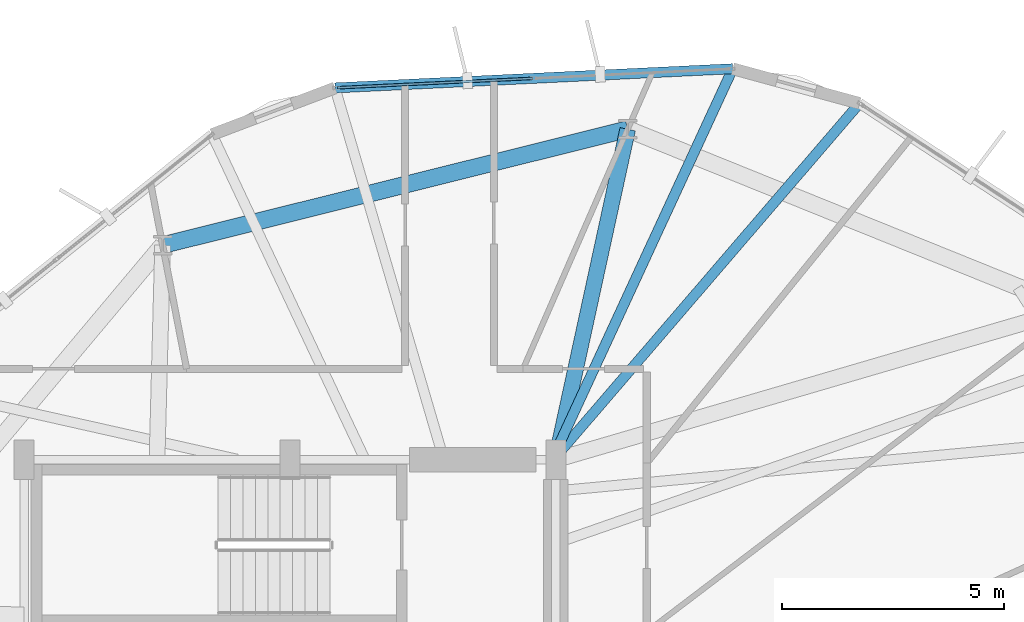
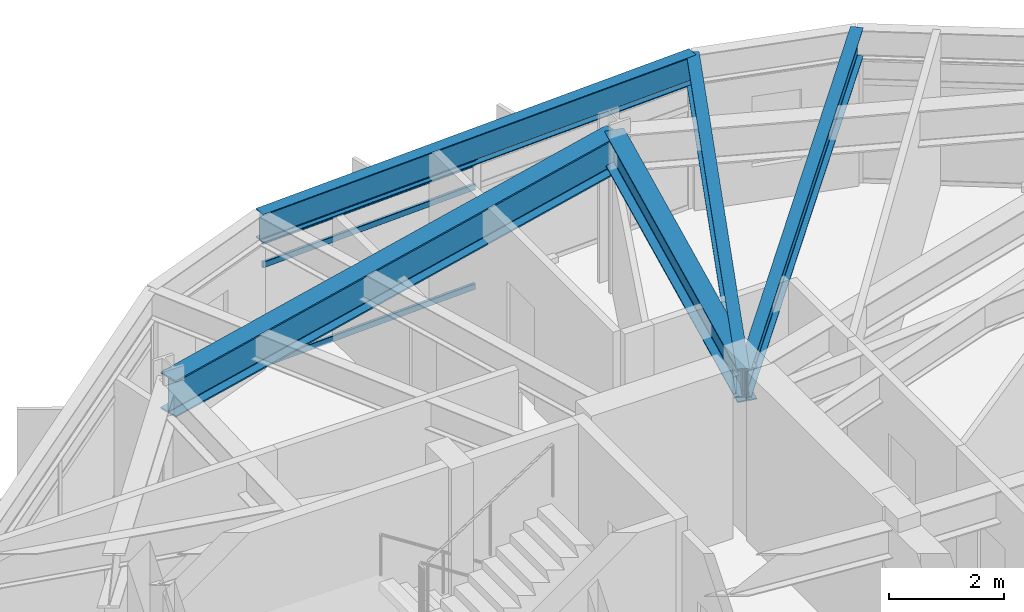
# One storey, part 14 of 23: 5 beams, 3 members, 1 element without a shape of its own.
"""IFC4 building model written with IfcOpenShell, lengths in metres."""

from ifc_helpers import new_model, si_unit, direction, frame, origin, origin_2d, place, context, subcontext, project, spatial, hollow_rectangle, i_section, extrude, material, layer, layer_set, material_profile, profile_set, type_object, element, aggregate, save


model = new_model("IFC4")

# Units and contexts
model_context = context("Model", 3, precision=1e-05, world=origin(), true_north=direction((0.0, 1.0)))
body_context = subcontext(model_context, "Body", "Model", "MODEL_VIEW")
ifc_project = project(units=[si_unit("LENGTHUNIT", "METRE"), si_unit("AREAUNIT", "SQUARE_METRE"), si_unit("VOLUMEUNIT", "CUBIC_METRE"), si_unit("PLANEANGLEUNIT", "RADIAN"), si_unit("MASSUNIT", "GRAM", prefix="KILO")], contexts=[model_context])

# Site, building, storey
site_placement = place(None, origin())
site = spatial("IfcSite", under=ifc_project, at=site_placement, CompositionType="ELEMENT")
building_placement = place(site_placement, origin())
building = spatial("IfcBuilding", under=site, at=building_placement, Name="Soratama Intermodal Tower", CompositionType="ELEMENT")
storey_placement = place(building_placement, frame((0.0, 0.0, 175.0)))
storey = spatial("IfcBuildingStorey", under=building, at=storey_placement, Name="L43", CompositionType="ELEMENT", Elevation=175.0)

# Beams
ifc_material_1 = material(Name="Structural steel ASTM A992 Grade 50", Category="steel")
ifc_material_profile_1 = material_profile(ifc_material_1, i_section(OverallWidth=0.35498046875, OverallDepth=0.695068359375, WebThickness=0.015380859375, FlangeThickness=0.02490234375, FilletRadius=0.01611328125, at=origin_2d()), Name="W27X146")
ifc_profile_set_1 = profile_set([ifc_material_profile_1], Name="Structural steel ASTM A992 Grade 50")
beam_type_1 = type_object("IfcBeamType", Name="BM-RING-W27X146", PredefinedType="BEAM", material=ifc_profile_set_1)
beam_1_placement = place(storey_placement, frame((44.60009765625, 35.0, 2.952392578125), z_axis=(0.212399095304, 0.977183004515, 0.0), x_axis=(-0.977183004515, 0.212399095304, 0.0)))
element("IfcBeam", 1, at=beam_1_placement, inside=storey, type_object=beam_type_1, Name="BM-L43-RAD-03", PredefinedType="BEAM", context=body_context, shape_type="SweptSolid", body=[
    extrude(i_section(OverallWidth=0.35498046875, OverallDepth=0.695068359375, WebThickness=0.015380859375, FlangeThickness=0.02490234375, FilletRadius=0.01611328125, at=origin_2d()), origin(), (0.0, 0.0, 1.0), 7.631103515625),
])
ifc_material_2 = material(Name="Structural steel ASTM A992 Grade 50", Category="steel")
ifc_material_profile_2 = material_profile(ifc_material_2, i_section(OverallWidth=0.382080078125, OverallDepth=0.779052734375, WebThickness=0.01806640625, FlangeThickness=0.030029296875, FilletRadius=0.01806640625, at=origin_2d()), Name="W30X191")
ifc_profile_set_2 = profile_set([ifc_material_profile_2], Name="Structural steel ASTM A992 Grade 50")
beam_type_2 = type_object("IfcBeamType", Name="BM-RING-W30X191", PredefinedType="BEAM", material=ifc_profile_set_2)
beam_2_placement = place(storey_placement, frame((46.220947265625, 42.45703125, 2.910400390625), z_axis=(-0.970310893227, -0.241861056155, 0.0), x_axis=(0.241861056155, -0.970310893227, 0.0)))
element("IfcBeam", 2, at=beam_2_placement, inside=storey, type_object=beam_type_2, Name="BM-L43-RING-03", PredefinedType="BEAM", context=body_context, shape_type="SweptSolid", body=[
    extrude(i_section(OverallWidth=0.382080078125, OverallDepth=0.779052734375, WebThickness=0.01806640625, FlangeThickness=0.030029296875, FilletRadius=0.01806640625, at=origin_2d()), origin(), (0.0, 0.0, 1.0), 10.81591796875),
])
ifc_material_3 = material(Name="Structural steel ASTM A992 Grade 50", Category="steel")
ifc_material_profile_3 = material_profile(ifc_material_3, i_section(OverallWidth=0.22900390625, OverallDepth=0.612060546875, WebThickness=0.011962890625, FlangeThickness=0.01953125, FilletRadius=0.012939453125, at=origin_2d()), Name="W24X84")
ifc_profile_set_3 = profile_set([ifc_material_profile_3], Name="Structural steel ASTM A992 Grade 50")
beam_type_3 = type_object("IfcBeamType", Name="BM-SPN-W24X84", PredefinedType="SPANDREL", material=ifc_profile_set_3)
beam_3_placement = place(storey_placement, frame((48.591064453125, 43.822021484375, 2.993896484375), z_axis=(-0.998843169701, -0.048086612913, 0.0), x_axis=(0.048086612913, -0.998843169701, 0.0)))
element("IfcBeam", 3, at=beam_3_placement, inside=storey, type_object=beam_type_3, Name="BS-L43-F02", PredefinedType="SPANDREL", context=body_context, shape_type="SweptSolid", body=[
    extrude(i_section(OverallWidth=0.22900390625, OverallDepth=0.612060546875, WebThickness=0.011962890625, FlangeThickness=0.01953125, FilletRadius=0.012939453125, at=origin_2d()), origin(), (0.0, 0.0, 1.0), 8.986572265625),
])
ifc_material_4 = material(Name="Structural steel ASTM A992 Grade 50", Category="steel")
ifc_material_profile_4 = material_profile(ifc_material_4, i_section(OverallWidth=0.22900390625, OverallDepth=0.612060546875, WebThickness=0.011962890625, FlangeThickness=0.01953125, FilletRadius=0.012939453125, at=origin_2d()), Name="W24X84")
ifc_profile_set_4 = profile_set([ifc_material_profile_4], Name="Structural steel ASTM A992 Grade 50")
beam_type_4 = type_object("IfcBeamType", Name="BM-TIE-W24X84", PredefinedType="BEAM", material=ifc_profile_set_4)
beam_4_placement = place(storey_placement, frame((44.56591796875, 35.030029296875, 2.993896484375), z_axis=(0.651812637197, 0.758380040606, 0.0), x_axis=(-0.758380040606, 0.651812637197, 0.0)))
element("IfcBeam", 4, at=beam_4_placement, inside=storey, type_object=beam_type_4, Name="BM-L43-TIE1-01", PredefinedType="BEAM", context=body_context, shape_type="SweptSolid", body=[
    extrude(i_section(OverallWidth=0.22900390625, OverallDepth=0.612060546875, WebThickness=0.011962890625, FlangeThickness=0.01953125, FilletRadius=0.012939453125, at=origin_2d()), origin(), (0.0, 0.0, 1.0), 10.56591796875),
])
beam_5_placement = place(storey_placement, frame((44.531005859375, 35.035888671875, 2.993896484375), z_axis=(0.419477222454, 0.907765861796, 0.0), x_axis=(-0.907765861796, 0.419477222454, 0.0)))
element("IfcBeam", 5, at=beam_5_placement, inside=storey, type_object=beam_type_4, Name="BM-L43-TIE0-02", PredefinedType="BEAM", context=body_context, shape_type="SweptSolid", body=[
    extrude(i_section(OverallWidth=0.22900390625, OverallDepth=0.612060546875, WebThickness=0.011962890625, FlangeThickness=0.01953125, FilletRadius=0.012939453125, at=origin_2d()), origin(), (0.0, 0.0, 1.0), 9.678955078125),
])

# Curtain wall, members
ifc_material_5 = material(Name="Double-glazed aluminium curtain wall", Category="aluminium")
ifc_layer = layer(ifc_material_5, 0.159912109375)
ifc_layer_set = layer_set([ifc_layer], Name="Double-glazed aluminium curtain wall")
curtain_wall_type = type_object("IfcCurtainWallType", Name="CW-SYS-4", PredefinedType="NOTDEFINED", material=ifc_layer_set)
curtain_wall_placement = place(storey_placement, origin())
curtain_wall = element("IfcCurtainWall", 6, at=curtain_wall_placement, inside=storey, type_object=curtain_wall_type, Name="L43 Faceted Curtain Wall F02", PredefinedType="NOTDEFINED")
ifc_material_6 = material(Name="Anodised aluminium AA 6063-T6", Category="aluminium")
ifc_material_profile_5 = material_profile(ifc_material_6, hollow_rectangle(XDim=0.06005859375, YDim=0.1298828125, WallThickness=0.0048828125, InnerFilletRadius=0.0048828125, OuterFilletRadius=0.010009765625, at=origin_2d()), Name="CWT130X60X5")
ifc_profile_set_5 = profile_set([ifc_material_profile_5], Name="Anodised aluminium AA 6063-T6")
member_type = type_object("IfcMemberType", Name="TT-CWT-2", PredefinedType="USERDEFINED", material=ifc_profile_set_5)
member_1_placement = place(storey_placement, frame((44.072998046875, 43.6044921875, 0.030029296875), z_axis=(-0.998841004292, -0.048131571183, 0.0), x_axis=(0.048131571183, -0.998841004292, 0.0)))
member_1 = element("IfcMember", 7, at=member_1_placement, type_object=member_type, Name="CW-4 transom 2.1", ObjectType="TRANSOM", PredefinedType="USERDEFINED", context=body_context, shape_type="SweptSolid", body=[
    extrude(hollow_rectangle(XDim=0.06005859375, YDim=0.1298828125, WallThickness=0.0048828125, InnerFilletRadius=0.0048828125, OuterFilletRadius=0.010009765625, at=origin_2d()), origin(), (0.0, 0.0, 1.0), 4.40283203125),
])
member_2_placement = place(storey_placement, frame((44.072998046875, 43.6044921875, 2.14990234375), z_axis=(-0.998841004292, -0.048131571183, 0.0), x_axis=(0.048131571183, -0.998841004292, 0.0)))
member_2 = element("IfcMember", 8, at=member_2_placement, type_object=member_type, Name="CW-4 transom 2.2", ObjectType="TRANSOM", PredefinedType="USERDEFINED", context=body_context, shape_type="SweptSolid", body=[
    extrude(hollow_rectangle(XDim=0.06005859375, YDim=0.1298828125, WallThickness=0.0048828125, InnerFilletRadius=0.0048828125, OuterFilletRadius=0.010009765625, at=origin_2d()), origin(), (0.0, 0.0, 1.0), 4.40283203125),
])
member_3_placement = place(storey_placement, frame((44.072998046875, 43.6044921875, 2.64892578125), z_axis=(-0.998841004292, -0.048131571183, 0.0), x_axis=(0.048131571183, -0.998841004292, 0.0)))
member_3 = element("IfcMember", 9, at=member_3_placement, type_object=member_type, Name="CW-4 transom 2.3", ObjectType="TRANSOM", PredefinedType="USERDEFINED", context=body_context, shape_type="SweptSolid", body=[
    extrude(hollow_rectangle(XDim=0.06005859375, YDim=0.1298828125, WallThickness=0.0048828125, InnerFilletRadius=0.0048828125, OuterFilletRadius=0.010009765625, at=origin_2d()), origin(), (0.0, 0.0, 1.0), 4.40283203125),
])
aggregate(curtain_wall, [member_1, member_2, member_3])

save(model, "model.ifc")
